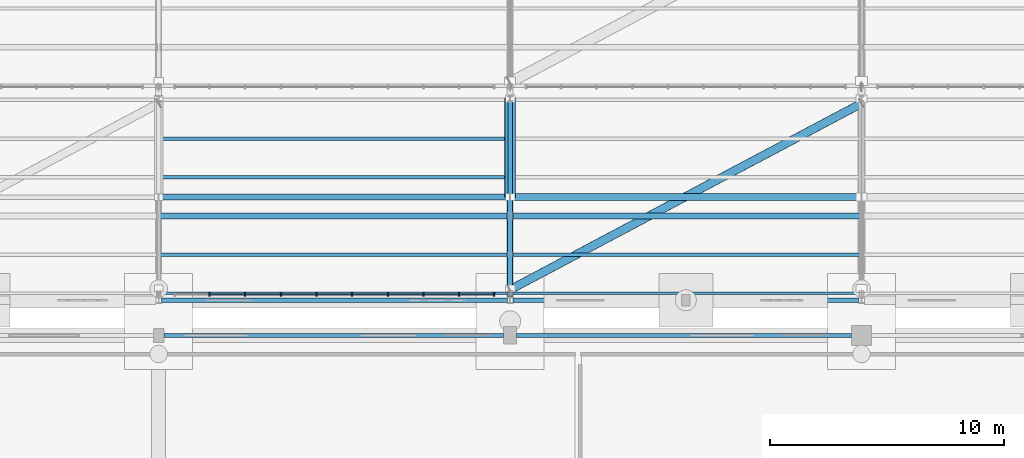
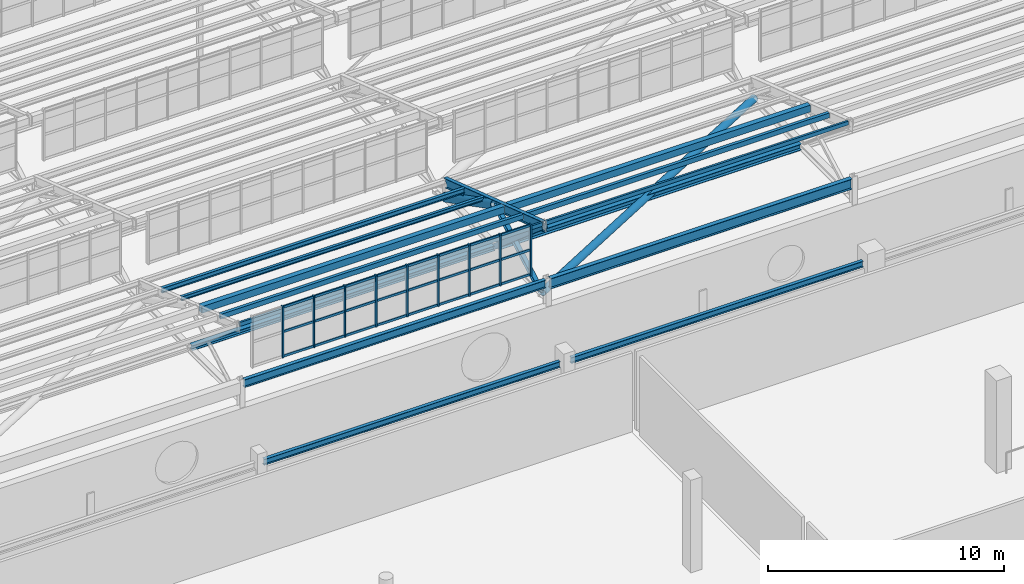
# One storey, part 40 of 285: 39 members, 13 beams, 1 element without a shape of its own.
"""IFC4 building model written with IfcOpenShell, lengths in metres."""

from ifc_helpers import new_model, si_unit, direction, frame, origin, origin_2d, place, context, subcontext, project, spatial, rectangle, hollow_rectangle, hollow_circle, i_section, extrude, material, material_profile, profile_set, type_object, element, aggregate, save


model = new_model("IFC4")

# Units and contexts
model_context = context("Model", 3, precision=1e-05, world=origin(), true_north=direction((0.0, 1.0)))
body_context = subcontext(model_context, "Body", "Model", "MODEL_VIEW")
ifc_project = project(units=[si_unit("LENGTHUNIT", "METRE"), si_unit("AREAUNIT", "SQUARE_METRE"), si_unit("VOLUMEUNIT", "CUBIC_METRE"), si_unit("PLANEANGLEUNIT", "RADIAN"), si_unit("MASSUNIT", "GRAM", prefix="KILO")], contexts=[model_context])

# Site, building, storey
site_placement = place(None, origin())
site = spatial("IfcSite", under=ifc_project, at=site_placement, CompositionType="ELEMENT")
building_placement = place(site_placement, origin())
building = spatial("IfcBuilding", under=site, at=building_placement, Name="Solanera Park Tramway Depot", CompositionType="ELEMENT")
storey_placement = place(building_placement, origin())
storey = spatial("IfcBuildingStorey", under=building, at=storey_placement, Name="L00", CompositionType="ELEMENT", Elevation=0.0)

# Curtain wall, members
ifc_material_1 = material(Name="Bronze-anodised thermally broken aluminium curtain wall", Category="aluminium")
curtain_wall_type = type_object("IfcCurtainWallType", Name="Sawtooth Clerestory Monitor Curtain Wall", PredefinedType="NOTDEFINED", material=ifc_material_1)
curtain_wall_placement = place(storey_placement, origin())
curtain_wall = element("IfcCurtainWall", 1, at=curtain_wall_placement, inside=storey, type_object=curtain_wall_type, Name="L00 Sawtooth Clerestory Monitor Curtain Wall #001", PredefinedType="NOTDEFINED")
ifc_material_2 = material(Name="Bronze-anodised structural aluminium 6063-T6", Category="aluminium")
ifc_material_profile_1 = material_profile(ifc_material_2, rectangle(XDim=0.06494140625, YDim=0.14990234375, at=origin_2d()), Name="Curtain Wall Mullion 65x150")
ifc_profile_set_1 = profile_set([ifc_material_profile_1], Name="Bronze-anodised structural aluminium 6063-T6")
member_type_1 = type_object("IfcMemberType", Name="Curtain Wall Mullion 65x150", PredefinedType="MULLION", material=ifc_profile_set_1)
member_1_placement = place(storey_placement, frame((32.172119140625, 55.75, 7.75), z_axis=(0.0, 0.0, 1.0), x_axis=(1.0, 0.0, 0.0)))
member_1 = element("IfcMember", 2, at=member_1_placement, type_object=member_type_1, Name="CW-L00-001 Mullion 2", PredefinedType="MULLION", context=body_context, shape_type="SweptSolid", body=[
    extrude(rectangle(XDim=0.06494140625, YDim=0.14990234375, at=origin_2d()), origin(), (0.0, 0.0, 1.0), 2.6611328125),
])
member_2_placement = place(storey_placement, frame((33.6943359375, 55.75, 7.75), z_axis=(0.0, 0.0, 1.0), x_axis=(1.0, 0.0, 0.0)))
member_2 = element("IfcMember", 3, at=member_2_placement, type_object=member_type_1, Name="CW-L00-001 Mullion 3", PredefinedType="MULLION", context=body_context, shape_type="SweptSolid", body=[
    extrude(rectangle(XDim=0.06494140625, YDim=0.14990234375, at=origin_2d()), origin(), (0.0, 0.0, 1.0), 2.6611328125),
])
member_3_placement = place(storey_placement, frame((35.216796875, 55.75, 7.75), z_axis=(0.0, 0.0, 1.0), x_axis=(1.0, 0.0, 0.0)))
member_3 = element("IfcMember", 4, at=member_3_placement, type_object=member_type_1, Name="CW-L00-001 Mullion 4", PredefinedType="MULLION", context=body_context, shape_type="SweptSolid", body=[
    extrude(rectangle(XDim=0.06494140625, YDim=0.14990234375, at=origin_2d()), origin(), (0.0, 0.0, 1.0), 2.6611328125),
])
member_4_placement = place(storey_placement, frame((36.739013671875, 55.75, 7.75), z_axis=(0.0, 0.0, 1.0), x_axis=(1.0, 0.0, 0.0)))
member_4 = element("IfcMember", 5, at=member_4_placement, type_object=member_type_1, Name="CW-L00-001 Mullion 5", PredefinedType="MULLION", context=body_context, shape_type="SweptSolid", body=[
    extrude(rectangle(XDim=0.06494140625, YDim=0.14990234375, at=origin_2d()), origin(), (0.0, 0.0, 1.0), 2.6611328125),
])
member_5_placement = place(storey_placement, frame((38.260986328125, 55.75, 7.75), z_axis=(0.0, 0.0, 1.0), x_axis=(1.0, 0.0, 0.0)))
member_5 = element("IfcMember", 6, at=member_5_placement, type_object=member_type_1, Name="CW-L00-001 Mullion 6", PredefinedType="MULLION", context=body_context, shape_type="SweptSolid", body=[
    extrude(rectangle(XDim=0.06494140625, YDim=0.14990234375, at=origin_2d()), origin(), (0.0, 0.0, 1.0), 2.6611328125),
])
member_6_placement = place(storey_placement, frame((39.783203125, 55.75, 7.75), z_axis=(0.0, 0.0, 1.0), x_axis=(1.0, 0.0, 0.0)))
member_6 = element("IfcMember", 7, at=member_6_placement, type_object=member_type_1, Name="CW-L00-001 Mullion 7", PredefinedType="MULLION", context=body_context, shape_type="SweptSolid", body=[
    extrude(rectangle(XDim=0.06494140625, YDim=0.14990234375, at=origin_2d()), origin(), (0.0, 0.0, 1.0), 2.6611328125),
])
member_7_placement = place(storey_placement, frame((41.3056640625, 55.75, 7.75), z_axis=(0.0, 0.0, 1.0), x_axis=(1.0, 0.0, 0.0)))
member_7 = element("IfcMember", 8, at=member_7_placement, type_object=member_type_1, Name="CW-L00-001 Mullion 8", PredefinedType="MULLION", context=body_context, shape_type="SweptSolid", body=[
    extrude(rectangle(XDim=0.06494140625, YDim=0.14990234375, at=origin_2d()), origin(), (0.0, 0.0, 1.0), 2.6611328125),
])
member_8_placement = place(storey_placement, frame((42.827880859375, 55.75, 7.75), z_axis=(0.0, 0.0, 1.0), x_axis=(1.0, 0.0, 0.0)))
member_8 = element("IfcMember", 9, at=member_8_placement, type_object=member_type_1, Name="CW-L00-001 Mullion 9", PredefinedType="MULLION", context=body_context, shape_type="SweptSolid", body=[
    extrude(rectangle(XDim=0.06494140625, YDim=0.14990234375, at=origin_2d()), origin(), (0.0, 0.0, 1.0), 2.6611328125),
])
member_9_placement = place(storey_placement, frame((44.3173828125, 55.75, 7.75), z_axis=(0.0, 0.0, 1.0), x_axis=(1.0, 0.0, 0.0)))
member_9 = element("IfcMember", 10, at=member_9_placement, type_object=member_type_1, Name="CW-L00-001 Mullion 10", PredefinedType="MULLION", context=body_context, shape_type="SweptSolid", body=[
    extrude(rectangle(XDim=0.06494140625, YDim=0.14990234375, at=origin_2d()), origin(), (0.0, 0.0, 1.0), 2.6611328125),
])
ifc_material_3 = material(Name="Bronze-anodised structural aluminium 6063-T6", Category="aluminium")
ifc_material_profile_2 = material_profile(ifc_material_3, rectangle(XDim=0.06494140625, YDim=0.1201171875, at=origin_2d()), Name="Curtain Wall Transom 65x120")
ifc_profile_set_2 = profile_set([ifc_material_profile_2], Name="Bronze-anodised structural aluminium 6063-T6")
member_type_2 = type_object("IfcMemberType", Name="Curtain Wall Transom 65x120", PredefinedType="USERDEFINED", material=ifc_profile_set_2)
member_10_placement = place(storey_placement, frame((32.2001953125, 55.75, 7.81005859375), z_axis=(1.0, 0.0, 0.0), x_axis=(0.0, 1.0, 0.0)))
member_10 = element("IfcMember", 11, at=member_10_placement, type_object=member_type_2, Name="CW-L00-001 Transom R1.C2", ObjectType="TRANSOM", PredefinedType="USERDEFINED", context=body_context, shape_type="SweptSolid", body=[
    extrude(rectangle(XDim=0.06494140625, YDim=0.1201171875, at=origin_2d()), origin(), (0.0, 0.0, 1.0), 1.46630859375),
])
member_11_placement = place(storey_placement, frame((33.722412109375, 55.75, 7.81005859375), z_axis=(1.0, 0.0, 0.0), x_axis=(0.0, 1.0, 0.0)))
member_11 = element("IfcMember", 12, at=member_11_placement, type_object=member_type_2, Name="CW-L00-001 Transom R1.C3", ObjectType="TRANSOM", PredefinedType="USERDEFINED", context=body_context, shape_type="SweptSolid", body=[
    extrude(rectangle(XDim=0.06494140625, YDim=0.1201171875, at=origin_2d()), origin(), (0.0, 0.0, 1.0), 1.46630859375),
])
member_12_placement = place(storey_placement, frame((35.24462890625, 55.75, 7.81005859375), z_axis=(1.0, 0.0, 0.0), x_axis=(0.0, 1.0, 0.0)))
member_12 = element("IfcMember", 13, at=member_12_placement, type_object=member_type_2, Name="CW-L00-001 Transom R1.C4", ObjectType="TRANSOM", PredefinedType="USERDEFINED", context=body_context, shape_type="SweptSolid", body=[
    extrude(rectangle(XDim=0.06494140625, YDim=0.1201171875, at=origin_2d()), origin(), (0.0, 0.0, 1.0), 1.46630859375),
])
member_13_placement = place(storey_placement, frame((36.766845703125, 55.75, 7.81005859375), z_axis=(1.0, 0.0, 0.0), x_axis=(0.0, 1.0, 0.0)))
member_13 = element("IfcMember", 14, at=member_13_placement, type_object=member_type_2, Name="CW-L00-001 Transom R1.C5", ObjectType="TRANSOM", PredefinedType="USERDEFINED", context=body_context, shape_type="SweptSolid", body=[
    extrude(rectangle(XDim=0.06494140625, YDim=0.1201171875, at=origin_2d()), origin(), (0.0, 0.0, 1.0), 1.46630859375),
])
member_14_placement = place(storey_placement, frame((38.2890625, 55.75, 7.81005859375), z_axis=(1.0, 0.0, 0.0), x_axis=(0.0, 1.0, 0.0)))
member_14 = element("IfcMember", 15, at=member_14_placement, type_object=member_type_2, Name="CW-L00-001 Transom R1.C6", ObjectType="TRANSOM", PredefinedType="USERDEFINED", context=body_context, shape_type="SweptSolid", body=[
    extrude(rectangle(XDim=0.06494140625, YDim=0.1201171875, at=origin_2d()), origin(), (0.0, 0.0, 1.0), 1.46630859375),
])
member_15_placement = place(storey_placement, frame((39.811279296875, 55.75, 7.81005859375), z_axis=(1.0, 0.0, 0.0), x_axis=(0.0, 1.0, 0.0)))
member_15 = element("IfcMember", 16, at=member_15_placement, type_object=member_type_2, Name="CW-L00-001 Transom R1.C7", ObjectType="TRANSOM", PredefinedType="USERDEFINED", context=body_context, shape_type="SweptSolid", body=[
    extrude(rectangle(XDim=0.06494140625, YDim=0.1201171875, at=origin_2d()), origin(), (0.0, 0.0, 1.0), 1.46630859375),
])
member_16_placement = place(storey_placement, frame((41.33349609375, 55.75, 7.81005859375), z_axis=(1.0, 0.0, 0.0), x_axis=(0.0, 1.0, 0.0)))
member_16 = element("IfcMember", 17, at=member_16_placement, type_object=member_type_2, Name="CW-L00-001 Transom R1.C8", ObjectType="TRANSOM", PredefinedType="USERDEFINED", context=body_context, shape_type="SweptSolid", body=[
    extrude(rectangle(XDim=0.06494140625, YDim=0.1201171875, at=origin_2d()), origin(), (0.0, 0.0, 1.0), 1.46630859375),
])
member_17_placement = place(storey_placement, frame((42.855712890625, 55.75, 7.81005859375), z_axis=(1.0, 0.0, 0.0), x_axis=(0.0, 1.0, 0.0)))
member_17 = element("IfcMember", 18, at=member_17_placement, type_object=member_type_2, Name="CW-L00-001 Transom R1.C9", ObjectType="TRANSOM", PredefinedType="USERDEFINED", context=body_context, shape_type="SweptSolid", body=[
    extrude(rectangle(XDim=0.06494140625, YDim=0.1201171875, at=origin_2d()), origin(), (0.0, 0.0, 1.0), 1.433837890625),
])
member_18_placement = place(storey_placement, frame((32.2001953125, 55.75, 9.08056640625), z_axis=(1.0, 0.0, 0.0), x_axis=(0.0, 1.0, 0.0)))
member_18 = element("IfcMember", 19, at=member_18_placement, type_object=member_type_2, Name="CW-L00-001 Transom R2.C2", ObjectType="TRANSOM", PredefinedType="USERDEFINED", context=body_context, shape_type="SweptSolid", body=[
    extrude(rectangle(XDim=0.06494140625, YDim=0.1201171875, at=origin_2d()), origin(), (0.0, 0.0, 1.0), 1.46630859375),
])
member_19_placement = place(storey_placement, frame((33.722412109375, 55.75, 9.08056640625), z_axis=(1.0, 0.0, 0.0), x_axis=(0.0, 1.0, 0.0)))
member_19 = element("IfcMember", 20, at=member_19_placement, type_object=member_type_2, Name="CW-L00-001 Transom R2.C3", ObjectType="TRANSOM", PredefinedType="USERDEFINED", context=body_context, shape_type="SweptSolid", body=[
    extrude(rectangle(XDim=0.06494140625, YDim=0.1201171875, at=origin_2d()), origin(), (0.0, 0.0, 1.0), 1.46630859375),
])
member_20_placement = place(storey_placement, frame((35.24462890625, 55.75, 9.08056640625), z_axis=(1.0, 0.0, 0.0), x_axis=(0.0, 1.0, 0.0)))
member_20 = element("IfcMember", 21, at=member_20_placement, type_object=member_type_2, Name="CW-L00-001 Transom R2.C4", ObjectType="TRANSOM", PredefinedType="USERDEFINED", context=body_context, shape_type="SweptSolid", body=[
    extrude(rectangle(XDim=0.06494140625, YDim=0.1201171875, at=origin_2d()), origin(), (0.0, 0.0, 1.0), 1.46630859375),
])
member_21_placement = place(storey_placement, frame((36.766845703125, 55.75, 9.08056640625), z_axis=(1.0, 0.0, 0.0), x_axis=(0.0, 1.0, 0.0)))
member_21 = element("IfcMember", 22, at=member_21_placement, type_object=member_type_2, Name="CW-L00-001 Transom R2.C5", ObjectType="TRANSOM", PredefinedType="USERDEFINED", context=body_context, shape_type="SweptSolid", body=[
    extrude(rectangle(XDim=0.06494140625, YDim=0.1201171875, at=origin_2d()), origin(), (0.0, 0.0, 1.0), 1.46630859375),
])
member_22_placement = place(storey_placement, frame((38.2890625, 55.75, 9.08056640625), z_axis=(1.0, 0.0, 0.0), x_axis=(0.0, 1.0, 0.0)))
member_22 = element("IfcMember", 23, at=member_22_placement, type_object=member_type_2, Name="CW-L00-001 Transom R2.C6", ObjectType="TRANSOM", PredefinedType="USERDEFINED", context=body_context, shape_type="SweptSolid", body=[
    extrude(rectangle(XDim=0.06494140625, YDim=0.1201171875, at=origin_2d()), origin(), (0.0, 0.0, 1.0), 1.46630859375),
])
member_23_placement = place(storey_placement, frame((39.811279296875, 55.75, 9.08056640625), z_axis=(1.0, 0.0, 0.0), x_axis=(0.0, 1.0, 0.0)))
member_23 = element("IfcMember", 24, at=member_23_placement, type_object=member_type_2, Name="CW-L00-001 Transom R2.C7", ObjectType="TRANSOM", PredefinedType="USERDEFINED", context=body_context, shape_type="SweptSolid", body=[
    extrude(rectangle(XDim=0.06494140625, YDim=0.1201171875, at=origin_2d()), origin(), (0.0, 0.0, 1.0), 1.46630859375),
])
member_24_placement = place(storey_placement, frame((41.33349609375, 55.75, 9.08056640625), z_axis=(1.0, 0.0, 0.0), x_axis=(0.0, 1.0, 0.0)))
member_24 = element("IfcMember", 25, at=member_24_placement, type_object=member_type_2, Name="CW-L00-001 Transom R2.C8", ObjectType="TRANSOM", PredefinedType="USERDEFINED", context=body_context, shape_type="SweptSolid", body=[
    extrude(rectangle(XDim=0.06494140625, YDim=0.1201171875, at=origin_2d()), origin(), (0.0, 0.0, 1.0), 1.46630859375),
])
member_25_placement = place(storey_placement, frame((42.855712890625, 55.75, 9.08056640625), z_axis=(1.0, 0.0, 0.0), x_axis=(0.0, 1.0, 0.0)))
member_25 = element("IfcMember", 26, at=member_25_placement, type_object=member_type_2, Name="CW-L00-001 Transom R2.C9", ObjectType="TRANSOM", PredefinedType="USERDEFINED", context=body_context, shape_type="SweptSolid", body=[
    extrude(rectangle(XDim=0.06494140625, YDim=0.1201171875, at=origin_2d()), origin(), (0.0, 0.0, 1.0), 1.433837890625),
])
member_26_placement = place(storey_placement, frame((32.2001953125, 55.75, 10.351318359375), z_axis=(1.0, 0.0, 0.0), x_axis=(0.0, 1.0, 0.0)))
member_26 = element("IfcMember", 27, at=member_26_placement, type_object=member_type_2, Name="CW-L00-001 Transom R3.C2", ObjectType="TRANSOM", PredefinedType="USERDEFINED", context=body_context, shape_type="SweptSolid", body=[
    extrude(rectangle(XDim=0.06494140625, YDim=0.1201171875, at=origin_2d()), origin(), (0.0, 0.0, 1.0), 1.46630859375),
])
member_27_placement = place(storey_placement, frame((33.722412109375, 55.75, 10.351318359375), z_axis=(1.0, 0.0, 0.0), x_axis=(0.0, 1.0, 0.0)))
member_27 = element("IfcMember", 28, at=member_27_placement, type_object=member_type_2, Name="CW-L00-001 Transom R3.C3", ObjectType="TRANSOM", PredefinedType="USERDEFINED", context=body_context, shape_type="SweptSolid", body=[
    extrude(rectangle(XDim=0.06494140625, YDim=0.1201171875, at=origin_2d()), origin(), (0.0, 0.0, 1.0), 1.46630859375),
])
member_28_placement = place(storey_placement, frame((35.24462890625, 55.75, 10.351318359375), z_axis=(1.0, 0.0, 0.0), x_axis=(0.0, 1.0, 0.0)))
member_28 = element("IfcMember", 29, at=member_28_placement, type_object=member_type_2, Name="CW-L00-001 Transom R3.C4", ObjectType="TRANSOM", PredefinedType="USERDEFINED", context=body_context, shape_type="SweptSolid", body=[
    extrude(rectangle(XDim=0.06494140625, YDim=0.1201171875, at=origin_2d()), origin(), (0.0, 0.0, 1.0), 1.46630859375),
])
member_29_placement = place(storey_placement, frame((36.766845703125, 55.75, 10.351318359375), z_axis=(1.0, 0.0, 0.0), x_axis=(0.0, 1.0, 0.0)))
member_29 = element("IfcMember", 30, at=member_29_placement, type_object=member_type_2, Name="CW-L00-001 Transom R3.C5", ObjectType="TRANSOM", PredefinedType="USERDEFINED", context=body_context, shape_type="SweptSolid", body=[
    extrude(rectangle(XDim=0.06494140625, YDim=0.1201171875, at=origin_2d()), origin(), (0.0, 0.0, 1.0), 1.46630859375),
])
member_30_placement = place(storey_placement, frame((38.2890625, 55.75, 10.351318359375), z_axis=(1.0, 0.0, 0.0), x_axis=(0.0, 1.0, 0.0)))
member_30 = element("IfcMember", 31, at=member_30_placement, type_object=member_type_2, Name="CW-L00-001 Transom R3.C6", ObjectType="TRANSOM", PredefinedType="USERDEFINED", context=body_context, shape_type="SweptSolid", body=[
    extrude(rectangle(XDim=0.06494140625, YDim=0.1201171875, at=origin_2d()), origin(), (0.0, 0.0, 1.0), 1.46630859375),
])
member_31_placement = place(storey_placement, frame((39.811279296875, 55.75, 10.351318359375), z_axis=(1.0, 0.0, 0.0), x_axis=(0.0, 1.0, 0.0)))
member_31 = element("IfcMember", 32, at=member_31_placement, type_object=member_type_2, Name="CW-L00-001 Transom R3.C7", ObjectType="TRANSOM", PredefinedType="USERDEFINED", context=body_context, shape_type="SweptSolid", body=[
    extrude(rectangle(XDim=0.06494140625, YDim=0.1201171875, at=origin_2d()), origin(), (0.0, 0.0, 1.0), 1.46630859375),
])
member_32_placement = place(storey_placement, frame((41.33349609375, 55.75, 10.351318359375), z_axis=(1.0, 0.0, 0.0), x_axis=(0.0, 1.0, 0.0)))
member_32 = element("IfcMember", 33, at=member_32_placement, type_object=member_type_2, Name="CW-L00-001 Transom R3.C8", ObjectType="TRANSOM", PredefinedType="USERDEFINED", context=body_context, shape_type="SweptSolid", body=[
    extrude(rectangle(XDim=0.06494140625, YDim=0.1201171875, at=origin_2d()), origin(), (0.0, 0.0, 1.0), 1.46630859375),
])
member_33_placement = place(storey_placement, frame((42.855712890625, 55.75, 10.351318359375), z_axis=(1.0, 0.0, 0.0), x_axis=(0.0, 1.0, 0.0)))
member_33 = element("IfcMember", 34, at=member_33_placement, type_object=member_type_2, Name="CW-L00-001 Transom R3.C9", ObjectType="TRANSOM", PredefinedType="USERDEFINED", context=body_context, shape_type="SweptSolid", body=[
    extrude(rectangle(XDim=0.06494140625, YDim=0.1201171875, at=origin_2d()), origin(), (0.0, 0.0, 1.0), 1.433837890625),
])
aggregate(curtain_wall, [member_1, member_2, member_3, member_4, member_5, member_6, member_7, member_8, member_9, member_10, member_11, member_12, member_13, member_14, member_15, member_16, member_17, member_18, member_19, member_20, member_21, member_22, member_23, member_24, member_25, member_26, member_27, member_28, member_29, member_30, member_31, member_32, member_33])

# Beams
ifc_material_4 = material(Name="Steel AS/NZS 3679.1 Grade 350", Category="steel")
ifc_material_profile_3 = material_profile(ifc_material_4, i_section(OverallWidth=0.177734375, OverallDepth=0.406494140625, WebThickness=0.0078125, FlangeThickness=0.0126953125, at=origin_2d()), Name="410UB59.7")
ifc_profile_set_3 = profile_set([ifc_material_profile_3], Name="Steel AS/NZS 3679.1 Grade 350")
beam_type_1 = type_object("IfcBeamType", Name="Perimeter Spandrel Beam 410UB59.7", PredefinedType="SPANDREL", material=ifc_profile_set_3)
beam_1_placement = place(storey_placement, frame((30.1201171875, 55.5, 7.296875), z_axis=(1.0, 0.0, 0.0), x_axis=(0.0, 1.0, 0.0)))
element("IfcBeam", 35, at=beam_1_placement, inside=storey, type_object=beam_type_1, Name="L00 Hall Eave Spandrel 410UB59.7 #0282", PredefinedType="SPANDREL", context=body_context, shape_type="SweptSolid", body=[
    extrude(i_section(OverallWidth=0.177734375, OverallDepth=0.406494140625, WebThickness=0.0078125, FlangeThickness=0.0126953125, at=origin_2d()), origin(), (0.0, 0.0, 1.0), 14.759765625),
])
ifc_material_5 = material(Name="Steel AS/NZS 3679.1 Grade 350", Category="steel")
ifc_material_profile_4 = material_profile(ifc_material_5, i_section(OverallWidth=0.209228515625, OverallDepth=0.532958984375, WebThickness=0.01025390625, FlangeThickness=0.015625, at=origin_2d()), Name="530UB92.4")
ifc_profile_set_4 = profile_set([ifc_material_profile_4], Name="Steel AS/NZS 3679.1 Grade 350")
beam_type_2 = type_object("IfcBeamType", Name="Perimeter Spandrel Beam 530UB92.4", PredefinedType="SPANDREL", material=ifc_profile_set_4)
beam_2_placement = place(storey_placement, frame((45.1201171875, 55.5, 7.2333984375), z_axis=(1.0, 0.0, 0.0), x_axis=(0.0, 1.0, 0.0)))
element("IfcBeam", 36, at=beam_2_placement, inside=storey, type_object=beam_type_2, Name="L00 Hall Eave Spandrel 530UB92.4 #0284", PredefinedType="SPANDREL", context=body_context, shape_type="SweptSolid", body=[
    extrude(i_section(OverallWidth=0.209228515625, OverallDepth=0.532958984375, WebThickness=0.01025390625, FlangeThickness=0.015625, at=origin_2d()), origin(), (0.0, 0.0, 1.0), 14.759765625),
])

# Members
ifc_material_6 = material(Name="Steel AS/NZS 3679.1 Grade 350", Category="steel")
ifc_material_profile_5 = material_profile(ifc_material_6, i_section(OverallWidth=0.205078125, OverallDepth=0.209716796875, WebThickness=0.00927734375, FlangeThickness=0.01416015625, at=origin_2d()), Name="200UC59.5")
ifc_profile_set_5 = profile_set([ifc_material_profile_5], Name="Steel AS/NZS 3679.1 Grade 350")
member_type_3 = type_object("IfcMemberType", Name="Roof Gantry Compression Strut 200UC59.5", PredefinedType="STRUT", material=ifc_profile_set_5)
member_34_placement = place(storey_placement, frame((45.0, 56.0, 6.5), z_axis=(0.0, 0.874074669389, 0.485791593517), x_axis=(-1.0, 0.0, 0.0)))
element("IfcMember", 37, at=member_34_placement, inside=storey, type_object=member_type_3, Name="Sawtooth ROOF TRUSS Strut 200UC59.5 #0015", PredefinedType="STRUT", context=body_context, shape_type="SweptSolid", body=[
    extrude(i_section(OverallWidth=0.205078125, OverallDepth=0.209716796875, WebThickness=0.00927734375, FlangeThickness=0.01416015625, at=origin_2d()), origin(), (0.0, 0.0, 1.0), 4.461669921875),
])
ifc_material_7 = material(Name="Steel AS/NZS 3679.1 Grade 350", Category="steel")
ifc_material_profile_6 = material_profile(ifc_material_7, i_section(OverallWidth=0.25390625, OverallDepth=0.25390625, WebThickness=0.008544921875, FlangeThickness=0.01416015625, at=origin_2d()), Name="250UC72.9")
ifc_profile_set_6 = profile_set([ifc_material_profile_6], Name="Steel AS/NZS 3679.1 Grade 350")
member_type_4 = type_object("IfcMemberType", Name="Secondary Truss Chord 250UC72.9", PredefinedType="CHORD", material=ifc_profile_set_6)
member_35_placement = place(storey_placement, frame((30.087890625, 59.89990234375, 6.5), z_axis=(1.0, 0.0, 0.0), x_axis=(0.0, 1.0, 0.0)))
element("IfcMember", 38, at=member_35_placement, inside=storey, type_object=member_type_4, Name="Sawtooth Longitudinal Tie Chord 250UC72.9 #0036", PredefinedType="CHORD", context=body_context, shape_type="SweptSolid", body=[
    extrude(i_section(OverallWidth=0.25390625, OverallDepth=0.25390625, WebThickness=0.008544921875, FlangeThickness=0.01416015625, at=origin_2d()), origin(), (0.0, 0.0, 1.0), 14.82421875),
])
ifc_material_8 = material(Name="Steel AS/NZS 3679.1 Grade 350", Category="steel")
ifc_material_profile_7 = material_profile(ifc_material_8, i_section(OverallWidth=0.306884765625, OverallDepth=0.314697265625, WebThickness=0.011962890625, FlangeThickness=0.018798828125, at=origin_2d()), Name="310UC118")
ifc_profile_set_7 = profile_set([ifc_material_profile_7], Name="Steel AS/NZS 3679.1 Grade 350")
member_type_5 = type_object("IfcMemberType", Name="Secondary Truss Chord 310UC118", PredefinedType="CHORD", material=ifc_profile_set_7)
member_36_placement = place(storey_placement, frame((45.087890625, 59.89990234375, 6.5), z_axis=(1.0, 0.0, 0.0), x_axis=(0.0, 1.0, 0.0)))
element("IfcMember", 39, at=member_36_placement, inside=storey, type_object=member_type_5, Name="Sawtooth Longitudinal Tie Chord 310UC118 #0037", PredefinedType="CHORD", context=body_context, shape_type="SweptSolid", body=[
    extrude(i_section(OverallWidth=0.306884765625, OverallDepth=0.314697265625, WebThickness=0.011962890625, FlangeThickness=0.018798828125, at=origin_2d()), origin(), (0.0, 0.0, 1.0), 14.82421875),
])

# Beams
ifc_material_9 = material(Name="Steel AS/NZS 3679.1 Grade 350", Category="steel")
ifc_material_profile_8 = material_profile(ifc_material_9, i_section(OverallWidth=0.166015625, OverallDepth=0.30712890625, WebThickness=0.006591796875, FlangeThickness=0.01171875, at=origin_2d()), Name="310UB46.2")
ifc_profile_set_8 = profile_set([ifc_material_profile_8], Name="Steel AS/NZS 3679.1 Grade 350")
beam_type_3 = type_object("IfcBeamType", Name="Steel Beam 310UB46.2", PredefinedType="BEAM", material=ifc_profile_set_8)
beam_3_placement = place(storey_placement, frame((30.22509765625, 54.0, 4.091552734375), z_axis=(1.0, 0.0, 0.0), x_axis=(0.0, 1.0, 0.0)))
element("IfcBeam", 40, at=beam_3_placement, inside=storey, type_object=beam_type_3, Name="L00 Workshop North Spandrel Girt 310UB46.2 #03", PredefinedType="BEAM", context=body_context, shape_type="SweptSolid", body=[
    extrude(i_section(OverallWidth=0.166015625, OverallDepth=0.30712890625, WebThickness=0.006591796875, FlangeThickness=0.01171875, at=origin_2d()), origin(), (0.0, 0.0, 1.0), 14.5),
])
beam_4_placement = place(storey_placement, frame((45.27490234375, 54.0, 4.091552734375), z_axis=(1.0, 0.0, 0.0), x_axis=(0.0, 1.0, 0.0)))
element("IfcBeam", 41, at=beam_4_placement, inside=storey, type_object=beam_type_3, Name="L00 Workshop North Spandrel Girt 310UB46.2 #04", PredefinedType="BEAM", context=body_context, shape_type="SweptSolid", body=[
    extrude(i_section(OverallWidth=0.166015625, OverallDepth=0.30712890625, WebThickness=0.006591796875, FlangeThickness=0.01171875, at=origin_2d()), origin(), (0.0, 0.0, 1.0), 14.300048828125),
])
ifc_material_10 = material(Name="Steel AS/NZS 3679.1 Grade 350", Category="steel")
ifc_material_profile_9 = material_profile(ifc_material_10, i_section(OverallWidth=0.1904296875, OverallDepth=0.45751953125, WebThickness=0.009033203125, FlangeThickness=0.014404296875, at=origin_2d()), Name="460UB74.6")
ifc_profile_set_9 = profile_set([ifc_material_profile_9], Name="Steel AS/NZS 3679.1 Grade 350")
beam_type_4 = type_object("IfcBeamType", Name="Steel Beam 460UB74.6", PredefinedType="BEAM", material=ifc_profile_set_9)
beam_5_placement = place(storey_placement, frame((45.0, 55.75, 10.05615234375), z_axis=(0.0, 0.948322229475, -0.317308917435), x_axis=(-1.0, 0.0, 0.0)))
element("IfcBeam", 42, at=beam_5_placement, inside=storey, type_object=beam_type_4, Name="Sawtooth ROOF TRUSS Top Rafter 460UB74.6 B01-T3", PredefinedType="BEAM", context=body_context, shape_type="SweptSolid", body=[
    extrude(i_section(OverallWidth=0.1904296875, OverallDepth=0.45751953125, WebThickness=0.009033203125, FlangeThickness=0.014404296875, at=origin_2d()), origin(), (0.0, 0.0, 1.0), 8.80517578125),
])
ifc_material_11 = material(Name="Steel AS/NZS 3679.1 Grade 350", Category="steel")
ifc_material_profile_10 = material_profile(ifc_material_11, i_section(OverallWidth=0.13330078125, OverallDepth=0.203125, WebThickness=0.005859375, FlangeThickness=0.0078125, at=origin_2d()), Name="200UB25.4")
ifc_profile_set_10 = profile_set([ifc_material_profile_10], Name="Steel AS/NZS 3679.1 Grade 350")
beam_type_5 = type_object("IfcBeamType", Name="Steel Joist Purlin 200UB25.4", PredefinedType="JOIST", material=ifc_profile_set_10)
beam_6_placement = place(storey_placement, frame((30.080810546875, 60.75, 8.510009765625), z_axis=(1.0, 0.0, 0.0), x_axis=(0.0, 1.0, 0.0)))
element("IfcBeam", 43, at=beam_6_placement, inside=storey, type_object=beam_type_5, Name="Sawtooth Roof Purlin 200UB25.4 B01.4", PredefinedType="JOIST", context=body_context, shape_type="SweptSolid", body=[
    extrude(i_section(OverallWidth=0.13330078125, OverallDepth=0.203125, WebThickness=0.005859375, FlangeThickness=0.0078125, at=origin_2d()), origin(), (0.0, 0.0, 1.0), 14.83203125),
])
ifc_material_12 = material(Name="Steel AS/NZS 1163 Grade C350L0", Category="steel")
ifc_material_profile_11 = material_profile(ifc_material_12, hollow_rectangle(XDim=0.10009765625, YDim=0.199951171875, WallThickness=0.006103515625, at=origin_2d()), Name="200x100x6.0 RHS")
ifc_profile_set_11 = profile_set([ifc_material_profile_11], Name="Steel AS/NZS 1163 Grade C350L0")
beam_type_6 = type_object("IfcBeamType", Name="Steel Joist Purlin 200x100x6.0 RHS", PredefinedType="JOIST", material=ifc_profile_set_11)
beam_7_placement = place(storey_placement, frame((30.080810546875, 55.800048828125, 10.17333984375), z_axis=(1.0, 0.0, 0.0), x_axis=(0.0, 1.0, 0.0)))
element("IfcBeam", 44, at=beam_7_placement, inside=storey, type_object=beam_type_6, Name="Sawtooth Roof Purlin 200x100x6.0 RHS B01.1", PredefinedType="JOIST", context=body_context, shape_type="SweptSolid", body=[
    extrude(hollow_rectangle(XDim=0.10009765625, YDim=0.199951171875, WallThickness=0.006103515625, at=origin_2d()), origin(), (0.0, 0.0, 1.0), 14.83203125),
])
beam_8_placement = place(storey_placement, frame((45.087158203125, 55.800048828125, 10.17333984375), z_axis=(1.0, 0.0, 0.0), x_axis=(0.0, 1.0, 0.0)))
element("IfcBeam", 45, at=beam_8_placement, inside=storey, type_object=beam_type_6, Name="Sawtooth Roof Purlin 200x100x6.0 RHS B01.1", PredefinedType="JOIST", context=body_context, shape_type="SweptSolid", body=[
    extrude(hollow_rectangle(XDim=0.10009765625, YDim=0.199951171875, WallThickness=0.006103515625, at=origin_2d()), origin(), (0.0, 0.0, 1.0), 14.816162109375),
])
ifc_material_13 = material(Name="Steel AS/NZS 3679.1 Grade 350", Category="steel")
ifc_material_profile_12 = material_profile(ifc_material_13, i_section(OverallWidth=0.14599609375, OverallDepth=0.251708984375, WebThickness=0.006103515625, FlangeThickness=0.008544921875, at=origin_2d()), Name="250UB31.4")
ifc_profile_set_12 = profile_set([ifc_material_profile_12], Name="Steel AS/NZS 3679.1 Grade 350")
beam_type_7 = type_object("IfcBeamType", Name="Steel Joist Purlin 250UB31.4", PredefinedType="JOIST", material=ifc_profile_set_12)
beam_9_placement = place(storey_placement, frame((30.080810546875, 62.39990234375, 7.931396484375), z_axis=(1.0, 0.0, 0.0), x_axis=(0.0, 1.0, 0.0)))
element("IfcBeam", 46, at=beam_9_placement, inside=storey, type_object=beam_type_7, Name="Sawtooth Roof Purlin 250UB31.4 B01.5", PredefinedType="JOIST", context=body_context, shape_type="SweptSolid", body=[
    extrude(i_section(OverallWidth=0.14599609375, OverallDepth=0.251708984375, WebThickness=0.006103515625, FlangeThickness=0.008544921875, at=origin_2d()), origin(), (0.0, 0.0, 1.0), 14.83203125),
])
ifc_material_14 = material(Name="Steel AS/NZS 1163 Grade C350L0", Category="steel")
ifc_material_profile_13 = material_profile(ifc_material_14, hollow_rectangle(XDim=0.14990234375, YDim=0.25, WallThickness=0.008056640625, at=origin_2d()), Name="250x150x8.0 RHS")
ifc_profile_set_13 = profile_set([ifc_material_profile_13], Name="Steel AS/NZS 1163 Grade C350L0")
beam_type_8 = type_object("IfcBeamType", Name="Steel Joist Purlin 250x150x8.0 RHS", PredefinedType="JOIST", material=ifc_profile_set_13)
beam_10_placement = place(storey_placement, frame((30.080810546875, 57.449951171875, 9.587890625), z_axis=(1.0, 0.0, 0.0), x_axis=(0.0, 1.0, 0.0)))
element("IfcBeam", 47, at=beam_10_placement, inside=storey, type_object=beam_type_8, Name="Sawtooth Roof Purlin 250x150x8.0 RHS B01.2", PredefinedType="JOIST", context=body_context, shape_type="SweptSolid", body=[
    extrude(hollow_rectangle(XDim=0.14990234375, YDim=0.25, WallThickness=0.008056640625, at=origin_2d()), origin(), (0.0, 0.0, 1.0), 14.83203125),
])
beam_11_placement = place(storey_placement, frame((45.087158203125, 57.449951171875, 9.587890625), z_axis=(1.0, 0.0, 0.0), x_axis=(0.0, 1.0, 0.0)))
element("IfcBeam", 48, at=beam_11_placement, inside=storey, type_object=beam_type_8, Name="Sawtooth Roof Purlin 250x150x8.0 RHS B01.2", PredefinedType="JOIST", context=body_context, shape_type="SweptSolid", body=[
    extrude(hollow_rectangle(XDim=0.14990234375, YDim=0.25, WallThickness=0.008056640625, at=origin_2d()), origin(), (0.0, 0.0, 1.0), 14.816162109375),
])
ifc_material_15 = material(Name="Steel AS/NZS 1163 Grade C350L0", Category="steel")
ifc_material_profile_14 = material_profile(ifc_material_15, hollow_rectangle(XDim=0.25, YDim=0.35009765625, WallThickness=0.010009765625, at=origin_2d()), Name="350x250x10.0 RHS")
ifc_profile_set_14 = profile_set([ifc_material_profile_14], Name="Steel AS/NZS 1163 Grade C350L0")
beam_type_9 = type_object("IfcBeamType", Name="Steel Joist Purlin 350x250x10.0 RHS", PredefinedType="JOIST", material=ifc_profile_set_14)
beam_12_placement = place(storey_placement, frame((30.080810546875, 59.10009765625, 8.968994140625), z_axis=(1.0, 0.0, 0.0), x_axis=(0.0, 1.0, 0.0)))
element("IfcBeam", 49, at=beam_12_placement, inside=storey, type_object=beam_type_9, Name="Sawtooth Roof Purlin 350x250x10.0 RHS B01.3", PredefinedType="JOIST", context=body_context, shape_type="SweptSolid", body=[
    extrude(hollow_rectangle(XDim=0.25, YDim=0.35009765625, WallThickness=0.010009765625, at=origin_2d()), origin(), (0.0, 0.0, 1.0), 14.83203125),
])
beam_13_placement = place(storey_placement, frame((45.087158203125, 59.10009765625, 8.968994140625), z_axis=(1.0, 0.0, 0.0), x_axis=(0.0, 1.0, 0.0)))
element("IfcBeam", 50, at=beam_13_placement, inside=storey, type_object=beam_type_9, Name="Sawtooth Roof Purlin 350x250x10.0 RHS B01.3", PredefinedType="JOIST", context=body_context, shape_type="SweptSolid", body=[
    extrude(hollow_rectangle(XDim=0.25, YDim=0.35009765625, WallThickness=0.010009765625, at=origin_2d()), origin(), (0.0, 0.0, 1.0), 14.816162109375),
])

# Members
ifc_material_16 = material(Name="Steel AS/NZS 1163 Grade C350L0", Category="steel")
ifc_material_profile_15 = material_profile(ifc_material_16, hollow_rectangle(XDim=0.25, YDim=0.25, WallThickness=0.010009765625, at=origin_2d()), Name="250x250x10.0 SHS")
ifc_profile_set_15 = profile_set([ifc_material_profile_15], Name="Steel AS/NZS 1163 Grade C350L0")
member_type_6 = type_object("IfcMemberType", Name="Truss and Frame Brace 250x250x10.0 SHS", PredefinedType="BRACE", material=ifc_profile_set_15)
member_37_placement = place(storey_placement, frame((45.0, 59.89990234375, 6.5), z_axis=(0.0, -0.759338583023, 0.650695717162), x_axis=(1.0, 0.0, 0.0)))
element("IfcMember", 51, at=member_37_placement, inside=storey, type_object=member_type_6, Name="Sawtooth ROOF TRUSS Web Brace 250x250x10.0 SHS #0013", PredefinedType="BRACE", context=body_context, shape_type="SweptSolid", body=[
    extrude(hollow_rectangle(XDim=0.25, YDim=0.25, WallThickness=0.010009765625, at=origin_2d()), origin(), (0.0, 0.0, 1.0), 5.465087890625),
])
ifc_material_17 = material(Name="Steel AS/NZS 1163 Grade C350L0", Category="steel")
ifc_material_profile_16 = material_profile(ifc_material_17, hollow_circle(Radius=0.177734375, WallThickness=0.0126953125, at=origin_2d()), Name="355.6x12.7 CHS")
ifc_profile_set_16 = profile_set([ifc_material_profile_16], Name="Steel AS/NZS 1163 Grade C350L0")
member_type_7 = type_object("IfcMemberType", Name="Truss and Frame Brace 355.6x12.7 CHS", PredefinedType="BRACE", material=ifc_profile_set_16)
member_38_placement = place(storey_placement, frame((45.001953125, 55.949951171875, 6.5), z_axis=(0.883523615038, 0.468386615598, 0.0), x_axis=(-0.468386615598, 0.883523615038, 0.0)))
element("IfcMember", 52, at=member_38_placement, inside=storey, type_object=member_type_7, Name="Roof Plane Cyclonic Brace 355.6x12.7 CHS #0038", PredefinedType="BRACE", context=body_context, shape_type="SweptSolid", body=[
    extrude(hollow_circle(Radius=0.177734375, WallThickness=0.0126953125, at=origin_2d()), origin(), (0.0, 0.0, 1.0), 16.97314453125),
])
ifc_material_18 = material(Name="Steel AS/NZS 1163 Grade C350L0", Category="steel")
ifc_material_profile_17 = material_profile(ifc_material_18, hollow_circle(Radius=0.228515625, WallThickness=0.0126953125, at=origin_2d()), Name="457.0x12.7 CHS")
ifc_profile_set_17 = profile_set([ifc_material_profile_17], Name="Steel AS/NZS 1163 Grade C350L0")
member_type_8 = type_object("IfcMemberType", Name="Truss and Frame Brace 457.0x12.7 CHS", PredefinedType="BRACE", material=ifc_profile_set_17)
member_39_placement = place(storey_placement, frame((45.0, 64.10009765625, 6.5), z_axis=(0.0, -0.888651893443, 0.45858239421), x_axis=(1.0, 0.0, 0.0)))
element("IfcMember", 53, at=member_39_placement, inside=storey, type_object=member_type_8, Name="Sawtooth ROOF TRUSS Diagonal 457.0x12.7 CHS #0014", PredefinedType="BRACE", context=body_context, shape_type="SweptSolid", body=[
    extrude(hollow_circle(Radius=0.228515625, WallThickness=0.0126953125, at=origin_2d()), origin(), (0.0, 0.0, 1.0), 4.7265625),
])

save(model, "model.ifc")
